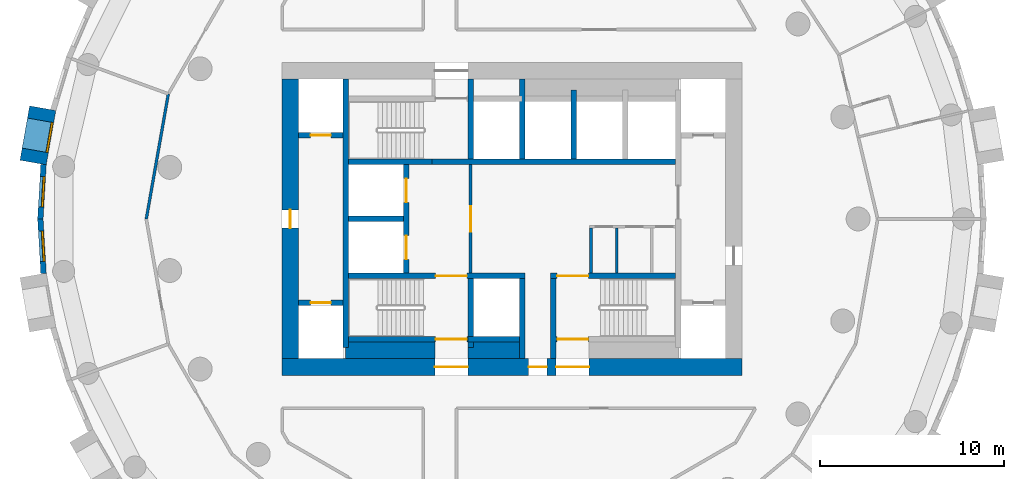
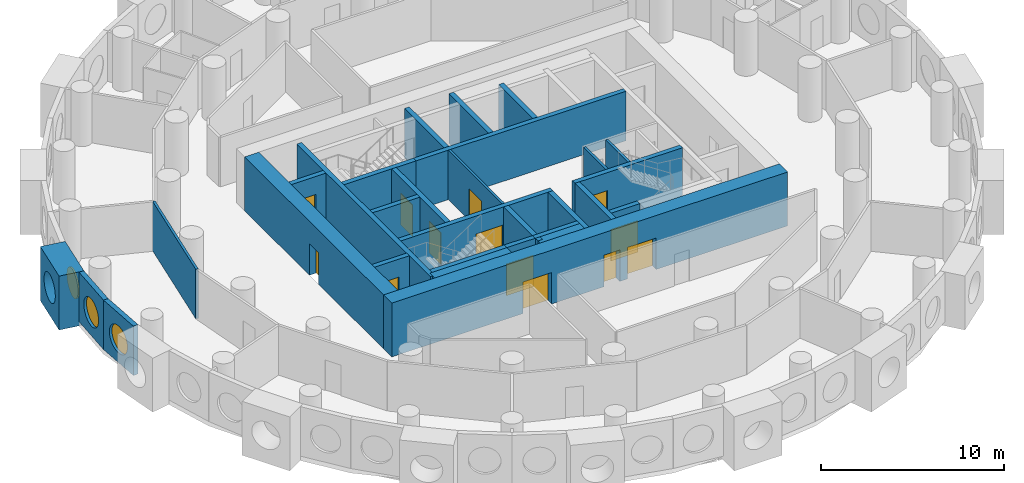
# One storey, part 3 of 9: 30 walls, 13 doors, 3 windows, 16 openings.
"""IFC4 building model written with IfcOpenShell, lengths in metres."""

from ifc_helpers import new_model, si_unit, direction, frame, frame_2d, origin, origin_2d, place, context, subcontext, project, spatial, rectangle, circle, extrude, material, layer, layer_set, type_object, element, fill, save


model = new_model("IFC4")

# Units and contexts
model_context = context("Model", 3, precision=1e-05, world=origin(), true_north=direction((0.0, 1.0)))
body_context = subcontext(model_context, "Body", "Model", "MODEL_VIEW")
ifc_project = project(units=[si_unit("LENGTHUNIT", "METRE"), si_unit("AREAUNIT", "SQUARE_METRE"), si_unit("VOLUMEUNIT", "CUBIC_METRE"), si_unit("PLANEANGLEUNIT", "RADIAN"), si_unit("MASSUNIT", "GRAM", prefix="KILO")], contexts=[model_context])

# Site, building, storey
site_placement = place(None, origin())
site = spatial("IfcSite", under=ifc_project, at=site_placement, CompositionType="ELEMENT")
building_placement = place(site_placement, origin())
building = spatial("IfcBuilding", under=site, at=building_placement, Name="Tracery Tower", CompositionType="ELEMENT")
storey_placement = place(building_placement, frame((0.0, 0.0, 169.199951171875)))
storey = spatial("IfcBuildingStorey", under=building, at=storey_placement, Name="L43", CompositionType="ELEMENT", Elevation=169.199951171875)

# Wall, opening, door
ifc_material_1 = material(Name="Plasterboard on steel studs", Category="steel")
ifc_layer_1 = layer(ifc_material_1, 0.14990234375)
ifc_layer_set_1 = layer_set([ifc_layer_1], Name="Core lobby partition 150")
wall_type_1 = type_object("IfcWallType", Name="Core lobby partition 150", PredefinedType="SOLIDWALL", material=ifc_layer_set_1)
wall_1_placement = place(storey_placement, frame((-2.25, -2.949951171875, 0.0), z_axis=(0.0, 0.0, 1.0), x_axis=(0.0, 1.0, 0.0)))
wall_1 = element("IfcWall", 1, at=wall_1_placement, inside=storey, type_object=wall_type_1, Name="L43 FF lobby E", PredefinedType="SOLIDWALL", context=body_context, shape_type="SweptSolid", body=[
    extrude(rectangle(XDim=5.89990234375, YDim=0.14990234375, at=frame_2d((2.949951171875, 0.0))), origin(), (0.0, 0.0, 1.0), 3.300048828125),
])
opening_1_placement = place(wall_1_placement, frame((2.25, 0.0, 0.0)))
opening_1 = element("IfcOpeningElement", 2, at=opening_1_placement, cuts=wall_1, Name="Opening KD8", PredefinedType="OPENING", context=body_context, shape_type="SweptSolid", body=[
    extrude(rectangle(XDim=1.39990234375, YDim=2.10009765625, at=frame_2d((0.699951171875, 1.050048828125))), frame((0.0, 0.074951171875, 0.0), z_axis=(0.0, -1.0, 0.0), x_axis=(1.0, 0.0, 0.0)), (0.0, 0.0, 1.0), 0.14990234375),
])
ifc_material_2 = material(Name="Steel fire door", Category="steel")
door_type_1 = type_object("IfcDoorType", Name="Core lobby door 1400 double", OperationType="NOTDEFINED", PredefinedType="DOOR", material=ifc_material_2)
door_1_placement = place(opening_1_placement, origin())
door_1 = element("IfcDoor", 3, at=door_1_placement, inside=storey, type_object=door_type_1, Name="Fire-fighting lobby door", OperationType="DOUBLE_DOOR_SINGLE_SWING", OverallHeight=2.10009765625, OverallWidth=1.39990234375, PredefinedType="DOOR", context=body_context, shape_type="SweptSolid", body=[
    extrude(rectangle(XDim=1.39990234375, YDim=2.10009765625, at=frame_2d((0.699951171875, 1.050048828125))), frame((0.0, 0.02490234375, 0.0), z_axis=(0.0, -1.0, 0.0), x_axis=(1.0, 0.0, 0.0)), (0.0, 0.0, 1.0), 0.050048828125),
])
fill(opening_1, door_1)

# Walls
ifc_material_3 = material(Name="Plasterboard on steel studs", Category="steel")
ifc_layer_2 = layer(ifc_material_3, 0.14990234375)
ifc_layer_set_2 = layer_set([ifc_layer_2], Name="Core room partition 150")
wall_type_2 = type_object("IfcWallType", Name="Core room partition 150", PredefinedType="SOLIDWALL", material=ifc_layer_set_2)
for number, where, z_axis, x_axis, name in (
    (4, (4.300048828125, -2.949951171875, 0.0), (0.0, 0.0, 1.0), (0.0, 1.0, 0.0), "L43 slot W"),
    (5, (5.699951171875, -2.949951171875, 0.0), (0.0, 0.0, 1.0), (0.0, 1.0, 0.0), "L43 slot sep 1"),
):
    element("IfcWall", number, at=place(storey_placement, frame(where, z_axis=z_axis, x_axis=x_axis)), inside=storey, type_object=wall_type_2, Name=name, PredefinedType="SOLIDWALL", context=body_context, shape_type="SweptSolid", body=[
        extrude(rectangle(XDim=2.449951171875, YDim=0.14990234375, at=frame_2d((1.22509765625, 0.0))), origin(), (0.0, 0.0, 1.0), 3.300048828125),
    ])
ifc_material_4 = material(Name="Concrete C50/60", Category="concrete")
ifc_layer_3 = layer(ifc_material_4, 0.89990234375)
ifc_layer_set_3 = layer_set([ifc_layer_3], Name="Core strip wall 900 C50")
wall_type_3 = type_object("IfcWallType", Name="Core strip wall 900 C50", PredefinedType="SOLIDWALL", material=ifc_layer_set_3)
wall_2_placement = place(storey_placement, frame((-9.050048828125, -7.14990234375, 0.0), z_axis=(0.0, 0.0, 1.0), x_axis=(1.0, 0.0, 0.0)))
element("IfcWall", 6, at=wall_2_placement, inside=storey, type_object=wall_type_3, Name="L43 F thick S W", PredefinedType="SOLIDWALL", context=body_context, shape_type="SweptSolid", body=[
    extrude(rectangle(XDim=4.85009765625, YDim=0.89990234375, at=frame_2d((2.425048828125, 0.0))), origin(), (0.0, 0.0, 1.0), 3.300048828125),
])
wall_3_placement = place(storey_placement, frame((-2.39990234375, -7.14990234375, 0.0), z_axis=(0.0, 0.0, 1.0), x_axis=(1.0, 0.0, 0.0)))
element("IfcWall", 7, at=wall_3_placement, inside=storey, type_object=wall_type_3, Name="L43 F thick S mid", PredefinedType="SOLIDWALL", context=body_context, shape_type="SweptSolid", body=[
    extrude(rectangle(XDim=2.7998046875, YDim=0.89990234375, at=frame_2d((1.39990234375, 0.0))), origin(), (0.0, 0.0, 1.0), 3.300048828125),
])

# Wall, openings, doors
ifc_material_5 = material(Name="Concrete C50/60", Category="concrete")
ifc_layer_4 = layer(ifc_material_5, 0.89990234375)
ifc_layer_set_4 = layer_set([ifc_layer_4], Name="Core wall 900 C50")
wall_type_4 = type_object("IfcWallType", Name="Core wall 900 C50", PredefinedType="SOLIDWALL", material=ifc_layer_set_4)
wall_4_placement = place(storey_placement, frame((-12.5, -8.050048828125, 0.0), z_axis=(0.0, 0.0, 1.0), x_axis=(1.0, 0.0, 0.0)))
wall_4 = element("IfcWall", 8, at=wall_4_placement, inside=storey, type_object=wall_type_4, Name="L43 outer S", PredefinedType="SOLIDWALL", context=body_context, shape_type="SweptSolid", body=[
    extrude(rectangle(XDim=25.0, YDim=0.89990234375, at=frame_2d((12.5, 0.0))), origin(), (0.0, 0.0, 1.0), 3.60009765625),
])
opening_2_placement = place(wall_4_placement, frame((13.39990234375, 0.0, 0.0)))
opening_2 = element("IfcOpeningElement", 9, at=opening_2_placement, cuts=wall_4, Name="Opening KD16", PredefinedType="OPENING", context=body_context, shape_type="SweptSolid", body=[
    extrude(rectangle(XDim=1.0, YDim=2.10009765625, at=frame_2d((0.5, 1.050048828125))), frame((0.0, 0.449951171875, 0.0), z_axis=(0.0, -1.0, 0.0), x_axis=(1.0, 0.0, 0.0)), (0.0, 0.0, 1.0), 0.89990234375),
])
opening_3_placement = place(wall_4_placement, frame((8.300048828125, 0.0, 0.0)))
opening_3 = element("IfcOpeningElement", 10, at=opening_3_placement, cuts=wall_4, Name="Opening KD13", PredefinedType="OPENING", context=body_context, shape_type="SweptSolid", body=[
    extrude(rectangle(XDim=1.800048828125, YDim=2.10009765625, at=frame_2d((0.89990234375, 1.050048828125))), frame((0.0, 0.449951171875, 0.0), z_axis=(0.0, -1.0, 0.0), x_axis=(1.0, 0.0, 0.0)), (0.0, 0.0, 1.0), 0.89990234375),
])
opening_4_placement = place(wall_4_placement, frame((14.89990234375, 0.0, 0.0)))
opening_4 = element("IfcOpeningElement", 11, at=opening_4_placement, cuts=wall_4, Name="Opening KD13", PredefinedType="OPENING", context=body_context, shape_type="SweptSolid", body=[
    extrude(rectangle(XDim=1.800048828125, YDim=2.10009765625, at=frame_2d((0.89990234375, 1.050048828125))), frame((0.0, 0.449951171875, 0.0), z_axis=(0.0, -1.0, 0.0), x_axis=(1.0, 0.0, 0.0)), (0.0, 0.0, 1.0), 0.89990234375),
])
ifc_material_6 = material(Name="Steel fire door", Category="steel")
door_type_2 = type_object("IfcDoorType", Name="Core exit door 1000", OperationType="NOTDEFINED", PredefinedType="DOOR", material=ifc_material_6)
door_2_placement = place(opening_2_placement, origin())
door_2 = element("IfcDoor", 12, at=door_2_placement, inside=storey, type_object=door_type_2, Name="Core exit door", OperationType="SINGLE_SWING_LEFT", OverallHeight=2.10009765625, OverallWidth=1.0, PredefinedType="DOOR", context=body_context, shape_type="SweptSolid", body=[
    extrude(rectangle(XDim=1.0, YDim=2.10009765625, at=frame_2d((0.5, 1.050048828125))), frame((0.0, 0.02490234375, 0.0), z_axis=(0.0, -1.0, 0.0), x_axis=(1.0, 0.0, 0.0)), (0.0, 0.0, 1.0), 0.050048828125),
])
fill(opening_2, door_2)
ifc_material_7 = material(Name="Steel fire door", Category="steel")
door_type_3 = type_object("IfcDoorType", Name="Core exit door 1800 double", OperationType="NOTDEFINED", PredefinedType="DOOR", material=ifc_material_7)
door_3_placement = place(opening_3_placement, origin())
door_3 = element("IfcDoor", 13, at=door_3_placement, inside=storey, type_object=door_type_3, Name="Core exit door", OperationType="DOUBLE_DOOR_SINGLE_SWING", OverallHeight=2.10009765625, OverallWidth=1.800048828125, PredefinedType="DOOR", context=body_context, shape_type="SweptSolid", body=[
    extrude(rectangle(XDim=1.800048828125, YDim=2.10009765625, at=frame_2d((0.89990234375, 1.050048828125))), frame((0.0, 0.02490234375, 0.0), z_axis=(0.0, -1.0, 0.0), x_axis=(1.0, 0.0, 0.0)), (0.0, 0.0, 1.0), 0.050048828125),
])
fill(opening_3, door_3)
door_4_placement = place(opening_4_placement, origin())
door_4 = element("IfcDoor", 14, at=door_4_placement, inside=storey, type_object=door_type_3, Name="Core exit door", OperationType="DOUBLE_DOOR_SINGLE_SWING", OverallHeight=2.10009765625, OverallWidth=1.800048828125, PredefinedType="DOOR", context=body_context, shape_type="SweptSolid", body=[
    extrude(rectangle(XDim=1.800048828125, YDim=2.10009765625, at=frame_2d((0.89990234375, 1.050048828125))), frame((0.0, 0.02490234375, 0.0), z_axis=(0.0, -1.0, 0.0), x_axis=(1.0, 0.0, 0.0)), (0.0, 0.0, 1.0), 0.050048828125),
])
fill(opening_4, door_4)

# Wall, opening, door
wall_5_placement = place(storey_placement, frame((-12.050048828125, -7.60009765625, 0.0), z_axis=(0.0, 0.0, 1.0), x_axis=(0.0, 1.0, 0.0)))
wall_5 = element("IfcWall", 15, at=wall_5_placement, inside=storey, type_object=wall_type_4, Name="L43 outer W", PredefinedType="SOLIDWALL", context=body_context, shape_type="SweptSolid", body=[
    extrude(rectangle(XDim=15.2001953125, YDim=0.89990234375, at=frame_2d((7.60009765625, 0.0))), origin(), (0.0, 0.0, 1.0), 3.60009765625),
])
opening_5_placement = place(wall_5_placement, frame((7.10009765625, 0.0, 0.0)))
opening_5 = element("IfcOpeningElement", 16, at=opening_5_placement, cuts=wall_5, Name="Opening KD18", PredefinedType="OPENING", context=body_context, shape_type="SweptSolid", body=[
    extrude(rectangle(XDim=1.0, YDim=2.10009765625, at=frame_2d((0.5, 1.050048828125))), frame((0.0, 0.449951171875, 0.0), z_axis=(0.0, -1.0, 0.0), x_axis=(1.0, 0.0, 0.0)), (0.0, 0.0, 1.0), 0.89990234375),
])
door_5_placement = place(opening_5_placement, origin())
door_5 = element("IfcDoor", 17, at=door_5_placement, inside=storey, type_object=door_type_2, Name="Core exit door", OperationType="DOUBLE_DOOR_SINGLE_SWING", OverallHeight=2.10009765625, OverallWidth=1.0, PredefinedType="DOOR", context=body_context, shape_type="SweptSolid", body=[
    extrude(rectangle(XDim=1.0, YDim=2.10009765625, at=frame_2d((0.5, 1.050048828125))), frame((0.0, 0.02490234375, 0.0), z_axis=(0.0, -1.0, 0.0), x_axis=(1.0, 0.0, 0.0)), (0.0, 0.0, 1.0), 0.050048828125),
])
fill(opening_5, door_5)

# Wall, opening, window
ifc_material_8 = material(Name="Precast concrete C50/60", Category="concrete")
ifc_layer_5 = layer(ifc_material_8, 1.449951171875)
ifc_layer_set_5 = layer_set([ifc_layer_5], Name="Deep-set bay unit 3000 x 3600, slab edge 300")
wall_type_5 = type_object("IfcWallType", Name="Deep-set bay unit 3000 x 3600, slab edge 300", PredefinedType="ELEMENTEDWALL", material=ifc_layer_set_5)
wall_6_placement = place(storey_placement, frame((-25.520751953125, 6.023193359375, -0.300048828125), z_axis=(0.0, 0.0, 1.0), x_axis=(-0.173669267716, -0.984804034035, 0.0)))
wall_6 = element("IfcWall", 18, at=wall_6_placement, inside=storey, type_object=wall_type_5, Name="Deep-set bay unit 26 at L43", PredefinedType="ELEMENTEDWALL", context=body_context, shape_type="SweptSolid", body=[
    extrude(rectangle(XDim=3.0, YDim=1.449951171875, at=frame_2d((1.5, 0.0))), origin(), (0.0, 0.0, 1.0), 3.60009765625),
])
opening_6_placement = place(wall_6_placement, frame((1.5, 0.0, 1.85009765625)))
opening_6 = element("IfcOpeningElement", 19, at=opening_6_placement, cuts=wall_6, Name="Opening WN1", PredefinedType="OPENING", context=body_context, shape_type="SweptSolid", body=[
    extrude(circle(Radius=0.9000244140625, at=origin_2d()), frame((0.0, 0.73486328125, 0.0), z_axis=(0.0, -1.0, 0.0), x_axis=(1.0, 0.0, 0.0)), (0.0, 0.0, 1.0), 1.469970703125),
])
ifc_material_9 = material(Name="Aluminium frame with tinted double glazing", Category="aluminium")
window_type = type_object("IfcWindowType", Name="Round window 1800", PartitioningType="SINGLE_PANEL", PredefinedType="WINDOW", material=ifc_material_9)
window_1_placement = place(opening_6_placement, origin())
window_1 = element("IfcWindow", 20, at=window_1_placement, inside=storey, type_object=window_type, Name="Round window 26 at L43", OverallHeight=1.800048828125, OverallWidth=1.800048828125, PartitioningType="SINGLE_PANEL", PredefinedType="WINDOW", context=body_context, shape_type="SweptSolid", body=[
    extrude(circle(Radius=0.9000244140625, at=origin_2d()), frame((0.0, 0.69482421875, 0.0), z_axis=(0.0, -1.0, 0.0), x_axis=(1.0, 0.0, 0.0)), (0.0, 0.0, 1.0), 0.10009765625),
])
fill(opening_6, window_1)

ifc_material_10 = material(Name="Precast concrete C50/60", Category="concrete")
ifc_layer_6 = layer(ifc_material_10, 0.300048828125)
ifc_layer_set_6 = layer_set([ifc_layer_6], Name="Facade panel 3000 x 3300")
wall_type_6 = type_object("IfcWallType", Name="Facade panel 3000 x 3300", PredefinedType="SOLIDWALL", material=ifc_layer_set_6)
wall_7_placement = place(storey_placement, frame((-25.474609375, 2.9677734375, 0.0), z_axis=(0.0, 0.0, 1.0), x_axis=(-0.058144307138, -0.998308188661, 0.0)))
wall_7 = element("IfcWall", 21, at=wall_7_placement, inside=storey, type_object=wall_type_6, Name="Facade panel 27 at L43", PredefinedType="SOLIDWALL", context=body_context, shape_type="SweptSolid", body=[
    extrude(rectangle(XDim=2.972900390625, YDim=0.300048828125, at=frame_2d((1.486328125, 0.0))), origin(), (0.0, 0.0, 1.0), 3.300048828125),
])
opening_7_placement = place(wall_7_placement, frame((1.486328125, 0.0, 1.5498046875)))
opening_7 = element("IfcOpeningElement", 22, at=opening_7_placement, cuts=wall_7, Name="Opening WN1", PredefinedType="OPENING", context=body_context, shape_type="SweptSolid", body=[
    extrude(circle(Radius=0.9000244140625, at=origin_2d()), frame((0.0, 0.159912109375, 0.0), z_axis=(0.0, -1.0, 0.0), x_axis=(1.0, 0.0, 0.0)), (0.0, 0.0, 1.0), 0.320068359375),
])
window_2_placement = place(opening_7_placement, origin())
window_2 = element("IfcWindow", 23, at=window_2_placement, inside=storey, type_object=window_type, Name="Round window 27 at L43", OverallHeight=1.800048828125, OverallWidth=1.800048828125, PartitioningType="SINGLE_PANEL", PredefinedType="WINDOW", context=body_context, shape_type="SweptSolid", body=[
    extrude(circle(Radius=0.9000244140625, at=origin_2d()), frame((0.0, 0.1201171875, 0.0), z_axis=(0.0, -1.0, 0.0), x_axis=(1.0, 0.0, 0.0)), (0.0, 0.0, 1.0), 0.10009765625),
])
fill(opening_7, window_2)

wall_8_placement = place(storey_placement, frame((-25.6474609375, 0.0, 0.0), z_axis=(0.0, 0.0, 1.0), x_axis=(0.058144307138, -0.998308188661, 0.0)))
wall_8 = element("IfcWall", 24, at=wall_8_placement, inside=storey, type_object=wall_type_6, Name="Facade panel 28 at L43", PredefinedType="SOLIDWALL", context=body_context, shape_type="SweptSolid", body=[
    extrude(rectangle(XDim=2.972900390625, YDim=0.300048828125, at=frame_2d((1.486328125, 0.0))), origin(), (0.0, 0.0, 1.0), 3.300048828125),
])
opening_8_placement = place(wall_8_placement, frame((1.486328125, 0.0, 1.5498046875)))
opening_8 = element("IfcOpeningElement", 25, at=opening_8_placement, cuts=wall_8, Name="Opening WN1", PredefinedType="OPENING", context=body_context, shape_type="SweptSolid", body=[
    extrude(circle(Radius=0.9000244140625, at=origin_2d()), frame((0.0, 0.159912109375, 0.0), z_axis=(0.0, -1.0, 0.0), x_axis=(1.0, 0.0, 0.0)), (0.0, 0.0, 1.0), 0.320068359375),
])
window_3_placement = place(opening_8_placement, origin())
window_3 = element("IfcWindow", 26, at=window_3_placement, inside=storey, type_object=window_type, Name="Round window 28 at L43", OverallHeight=1.800048828125, OverallWidth=1.800048828125, PartitioningType="SINGLE_PANEL", PredefinedType="WINDOW", context=body_context, shape_type="SweptSolid", body=[
    extrude(circle(Radius=0.9000244140625, at=origin_2d()), frame((0.0, 0.1201171875, 0.0), z_axis=(0.0, -1.0, 0.0), x_axis=(1.0, 0.0, 0.0)), (0.0, 0.0, 1.0), 0.10009765625),
])
fill(opening_8, window_3)

# Walls
ifc_material_11 = material(Name="Plasterboard on steel studs", Category="steel")
ifc_layer_7 = layer(ifc_material_11, 0.14990234375)
ifc_layer_set_7 = layer_set([ifc_layer_7], Name="Partition 150 corridor wall")
wall_type_7 = type_object("IfcWallType", Name="Partition 150 corridor wall", PredefinedType="PARTITIONING", material=ifc_layer_set_7)
wall_9_placement = place(storey_placement, frame((-19.887939453125, 0.0, 0.0), z_axis=(0.0, 0.0, 1.0), x_axis=(0.173728873845, 0.98479352069, 0.0)))
element("IfcWall", 27, at=wall_9_placement, inside=storey, type_object=wall_type_7, Name="Corridor wall RB5-028", PredefinedType="PARTITIONING", context=body_context, shape_type="SweptSolid", body=[
    extrude(rectangle(XDim=6.906982421875, YDim=0.14990234375, at=frame_2d((3.45361328125, 0.0))), origin(), (0.0, 0.0, 1.0), 3.300048828125),
])
ifc_material_12 = material(Name="Concrete C50/60", Category="concrete")
ifc_layer_8 = layer(ifc_material_12, 0.300048828125)
ifc_layer_set_8 = layer_set([ifc_layer_8], Name="Shaft wall 300 C50")
wall_type_8 = type_object("IfcWallType", Name="Shaft wall 300 C50", PredefinedType="SOLIDWALL", material=ifc_layer_set_8)
wall_10_placement = place(storey_placement, frame((-8.89990234375, 0.0, 0.0), z_axis=(0.0, 0.0, 1.0), x_axis=(1.0, 0.0, 0.0)))
element("IfcWall", 28, at=wall_10_placement, inside=storey, type_object=wall_type_8, Name="L43 FF split", PredefinedType="SOLIDWALL", context=body_context, shape_type="SweptSolid", body=[
    extrude(rectangle(XDim=3.0, YDim=0.300048828125, at=frame_2d((1.5, 0.0))), origin(), (0.0, 0.0, 1.0), 3.300048828125),
])

# Wall, openings, doors
wall_11_placement = place(storey_placement, frame((-5.75, -2.949951171875, 0.0), z_axis=(0.0, 0.0, 1.0), x_axis=(0.0, 1.0, 0.0)))
wall_11 = element("IfcWall", 29, at=wall_11_placement, inside=storey, type_object=wall_type_8, Name="L43 FF doors", PredefinedType="SOLIDWALL", context=body_context, shape_type="SweptSolid", body=[
    extrude(rectangle(XDim=5.89990234375, YDim=0.300048828125, at=frame_2d((2.949951171875, 0.0))), origin(), (0.0, 0.0, 1.0), 3.300048828125),
])
opening_9_placement = place(wall_11_placement, frame((0.75, 0.0, 0.0)))
opening_9 = element("IfcOpeningElement", 30, at=opening_9_placement, cuts=wall_11, Name="Opening KD54", PredefinedType="OPENING", context=body_context, shape_type="SweptSolid", body=[
    extrude(rectangle(XDim=1.300048828125, YDim=2.10009765625, at=frame_2d((0.64990234375, 1.050048828125))), frame((0.0, 0.14990234375, 0.0), z_axis=(0.0, -1.0, 0.0), x_axis=(1.0, 0.0, 0.0)), (0.0, 0.0, 1.0), 0.300048828125),
])
opening_10_placement = place(wall_11_placement, frame((3.85009765625, 0.0, 0.0)))
opening_10 = element("IfcOpeningElement", 31, at=opening_10_placement, cuts=wall_11, Name="Opening KD55", PredefinedType="OPENING", context=body_context, shape_type="SweptSolid", body=[
    extrude(rectangle(XDim=1.300048828125, YDim=2.10009765625, at=frame_2d((0.64990234375, 1.050048828125))), frame((0.0, 0.14990234375, 0.0), z_axis=(0.0, -1.0, 0.0), x_axis=(1.0, 0.0, 0.0)), (0.0, 0.0, 1.0), 0.300048828125),
])
ifc_material_13 = material(Name="Steel fire door", Category="steel")
door_type_4 = type_object("IfcDoorType", Name="Landing door FF 1300", OperationType="NOTDEFINED", PredefinedType="DOOR", material=ifc_material_13)
door_6_placement = place(opening_9_placement, origin())
door_6 = element("IfcDoor", 32, at=door_6_placement, inside=storey, type_object=door_type_4, Name="Landing door FF1", OperationType="SLIDING_TO_LEFT", OverallHeight=2.10009765625, OverallWidth=1.300048828125, PredefinedType="DOOR", context=body_context, shape_type="SweptSolid", body=[
    extrude(rectangle(XDim=1.300048828125, YDim=2.10009765625, at=frame_2d((0.64990234375, 1.050048828125))), frame((0.0, 0.02490234375, 0.0), z_axis=(0.0, -1.0, 0.0), x_axis=(1.0, 0.0, 0.0)), (0.0, 0.0, 1.0), 0.050048828125),
])
fill(opening_9, door_6)
door_7_placement = place(opening_10_placement, origin())
door_7 = element("IfcDoor", 33, at=door_7_placement, inside=storey, type_object=door_type_4, Name="Landing door FF2", OperationType="SLIDING_TO_RIGHT", OverallHeight=2.10009765625, OverallWidth=1.300048828125, PredefinedType="DOOR", context=body_context, shape_type="SweptSolid", body=[
    extrude(rectangle(XDim=1.300048828125, YDim=2.10009765625, at=frame_2d((0.64990234375, 1.050048828125))), frame((0.0, 0.02490234375, 0.0), z_axis=(0.0, -1.0, 0.0), x_axis=(1.0, 0.0, 0.0)), (0.0, 0.0, 1.0), 0.050048828125),
])
fill(opening_10, door_7)

# Walls
for number, where, z_axis, x_axis, name in (
    (34, (0.550048828125, -7.60009765625, 0.0), (0.0, 0.0, 1.0), (0.0, 1.0, 0.0), "L43 OB2 E"),
    (35, (0.550048828125, 3.25, 0.0), (0.0, 0.0, 1.0), (0.0, 1.0, 0.0), "L43 HR sep 1"),
):
    element("IfcWall", number, at=place(storey_placement, frame(where, z_axis=z_axis, x_axis=x_axis)), inside=storey, type_object=wall_type_8, Name=name, PredefinedType="SOLIDWALL", context=body_context, shape_type="SweptSolid", body=[
        extrude(rectangle(XDim=4.35009765625, YDim=0.300048828125, at=frame_2d((2.175048828125, 0.0))), origin(), (0.0, 0.0, 1.0), 3.300048828125),
    ])
wall_12_placement = place(storey_placement, frame((3.35009765625, 3.25, 0.0), z_axis=(0.0, 0.0, 1.0), x_axis=(0.0, 1.0, 0.0)))
element("IfcWall", 36, at=wall_12_placement, inside=storey, type_object=wall_type_8, Name="L43 HR sep 2", PredefinedType="SOLIDWALL", context=body_context, shape_type="SweptSolid", body=[
    extrude(rectangle(XDim=3.75, YDim=0.300048828125, at=frame_2d((1.875, 0.0))), origin(), (0.0, 0.0, 1.0), 3.300048828125),
])

# Wall, opening, door
wall_13_placement = place(storey_placement, frame((-11.60009765625, -4.550048828125, 0.0), z_axis=(0.0, 0.0, 1.0), x_axis=(1.0, 0.0, 0.0)))
wall_13 = element("IfcWall", 37, at=wall_13_placement, inside=storey, type_object=wall_type_8, Name="L43 MR W -4.55", PredefinedType="SOLIDWALL", context=body_context, shape_type="SweptSolid", body=[
    extrude(rectangle(XDim=2.400146484375, YDim=0.300048828125, at=frame_2d((1.2001953125, 0.0))), origin(), (0.0, 0.0, 1.0), 3.300048828125),
])
opening_11_placement = place(wall_13_placement, frame((0.64990234375, 0.0, 0.0)))
opening_11 = element("IfcOpeningElement", 38, at=opening_11_placement, cuts=wall_13, Name="Opening KD50", PredefinedType="OPENING", context=body_context, shape_type="SweptSolid", body=[
    extrude(rectangle(XDim=1.10009765625, YDim=2.10009765625, at=frame_2d((0.550048828125, 1.050048828125))), frame((0.0, 0.14990234375, 0.0), z_axis=(0.0, -1.0, 0.0), x_axis=(1.0, 0.0, 0.0)), (0.0, 0.0, 1.0), 0.300048828125),
])
ifc_material_14 = material(Name="Steel fire door", Category="steel")
door_type_5 = type_object("IfcDoorType", Name="Landing door 1100", OperationType="NOTDEFINED", PredefinedType="DOOR", material=ifc_material_14)
door_8_placement = place(opening_11_placement, origin())
door_8 = element("IfcDoor", 39, at=door_8_placement, inside=storey, type_object=door_type_5, Name="Landing door MR1", OperationType="SLIDING_TO_RIGHT", OverallHeight=2.10009765625, OverallWidth=1.10009765625, PredefinedType="DOOR", context=body_context, shape_type="SweptSolid", body=[
    extrude(rectangle(XDim=1.10009765625, YDim=2.10009765625, at=frame_2d((0.550048828125, 1.050048828125))), frame((0.0, 0.02490234375, 0.0), z_axis=(0.0, -1.0, 0.0), x_axis=(1.0, 0.0, 0.0)), (0.0, 0.0, 1.0), 0.050048828125),
])
fill(opening_11, door_8)

wall_14_placement = place(storey_placement, frame((-11.60009765625, 4.550048828125, 0.0), z_axis=(0.0, 0.0, 1.0), x_axis=(1.0, 0.0, 0.0)))
wall_14 = element("IfcWall", 40, at=wall_14_placement, inside=storey, type_object=wall_type_8, Name="L43 MR W +4.55", PredefinedType="SOLIDWALL", context=body_context, shape_type="SweptSolid", body=[
    extrude(rectangle(XDim=2.400146484375, YDim=0.300048828125, at=frame_2d((1.2001953125, 0.0))), origin(), (0.0, 0.0, 1.0), 3.300048828125),
])
opening_12_placement = place(wall_14_placement, frame((0.64990234375, 0.0, 0.0)))
opening_12 = element("IfcOpeningElement", 41, at=opening_12_placement, cuts=wall_14, Name="Opening KD49", PredefinedType="OPENING", context=body_context, shape_type="SweptSolid", body=[
    extrude(rectangle(XDim=1.10009765625, YDim=2.10009765625, at=frame_2d((0.550048828125, 1.050048828125))), frame((0.0, 0.14990234375, 0.0), z_axis=(0.0, -1.0, 0.0), x_axis=(1.0, 0.0, 0.0)), (0.0, 0.0, 1.0), 0.300048828125),
])
door_9_placement = place(opening_12_placement, origin())
door_9 = element("IfcDoor", 42, at=door_9_placement, inside=storey, type_object=door_type_5, Name="Landing door MR2", OperationType="SLIDING_TO_LEFT", OverallHeight=2.10009765625, OverallWidth=1.10009765625, PredefinedType="DOOR", context=body_context, shape_type="SweptSolid", body=[
    extrude(rectangle(XDim=1.10009765625, YDim=2.10009765625, at=frame_2d((0.550048828125, 1.050048828125))), frame((0.0, 0.02490234375, 0.0), z_axis=(0.0, -1.0, 0.0), x_axis=(1.0, 0.0, 0.0)), (0.0, 0.0, 1.0), 0.050048828125),
])
fill(opening_12, door_9)

ifc_material_15 = material(Name="Concrete C50/60", Category="concrete")
ifc_layer_9 = layer(ifc_material_15, 0.300048828125)
ifc_layer_set_9 = layer_set([ifc_layer_9], Name="Stair wall 300 C50")
wall_type_9 = type_object("IfcWallType", Name="Stair wall 300 C50", PredefinedType="SOLIDWALL", material=ifc_layer_set_9)
wall_15_placement = place(storey_placement, frame((-8.89990234375, -3.10009765625, 0.0), z_axis=(0.0, 0.0, 1.0), x_axis=(1.0, 0.0, 0.0)))
wall_15 = element("IfcWall", 43, at=wall_15_placement, inside=storey, type_object=wall_type_9, Name="L43 row S", PredefinedType="SOLIDWALL", context=body_context, shape_type="SweptSolid", body=[
    extrude(rectangle(XDim=9.599853515625, YDim=0.300048828125, at=frame_2d((4.7998046875, 0.0))), origin(), (0.0, 0.0, 1.0), 3.300048828125),
])
opening_13_placement = place(wall_15_placement, frame((4.75, 0.0, 0.0)))
opening_13 = element("IfcOpeningElement", 44, at=opening_13_placement, cuts=wall_15, Name="Opening KD3", PredefinedType="OPENING", context=body_context, shape_type="SweptSolid", body=[
    extrude(rectangle(XDim=1.699951171875, YDim=2.10009765625, at=frame_2d((0.85009765625, 1.050048828125))), frame((0.0, 0.14990234375, 0.0), z_axis=(0.0, -1.0, 0.0), x_axis=(1.0, 0.0, 0.0)), (0.0, 0.0, 1.0), 0.300048828125),
])
ifc_material_16 = material(Name="Steel fire door", Category="steel")
door_type_6 = type_object("IfcDoorType", Name="Core stair door 1700 double", OperationType="NOTDEFINED", PredefinedType="DOOR", material=ifc_material_16)
door_10_placement = place(opening_13_placement, origin())
door_10 = element("IfcDoor", 45, at=door_10_placement, inside=storey, type_object=door_type_6, Name="Stair door ST1", OperationType="DOUBLE_DOOR_SINGLE_SWING", OverallHeight=2.10009765625, OverallWidth=1.699951171875, PredefinedType="DOOR", context=body_context, shape_type="SweptSolid", body=[
    extrude(rectangle(XDim=1.699951171875, YDim=2.10009765625, at=frame_2d((0.85009765625, 1.050048828125))), frame((0.0, 0.02490234375, 0.0), z_axis=(0.0, -1.0, 0.0), x_axis=(1.0, 0.0, 0.0)), (0.0, 0.0, 1.0), 0.050048828125),
])
fill(opening_13, door_10)

wall_16_placement = place(storey_placement, frame((2.10009765625, -3.10009765625, 0.0), z_axis=(0.0, 0.0, 1.0), x_axis=(1.0, 0.0, 0.0)))
wall_16 = element("IfcWall", 46, at=wall_16_placement, inside=storey, type_object=wall_type_9, Name="L43 row S E", PredefinedType="SOLIDWALL", context=body_context, shape_type="SweptSolid", body=[
    extrude(rectangle(XDim=6.7998046875, YDim=0.300048828125, at=frame_2d((3.39990234375, 0.0))), origin(), (0.0, 0.0, 1.0), 3.300048828125),
])
opening_14_placement = place(wall_16_placement, frame((0.35009765625, 0.0, 0.0)))
opening_14 = element("IfcOpeningElement", 47, at=opening_14_placement, cuts=wall_16, Name="Opening KD3", PredefinedType="OPENING", context=body_context, shape_type="SweptSolid", body=[
    extrude(rectangle(XDim=1.699951171875, YDim=2.10009765625, at=frame_2d((0.85009765625, 1.050048828125))), frame((0.0, 0.14990234375, 0.0), z_axis=(0.0, -1.0, 0.0), x_axis=(1.0, 0.0, 0.0)), (0.0, 0.0, 1.0), 0.300048828125),
])
door_11_placement = place(opening_14_placement, origin())
door_11 = element("IfcDoor", 48, at=door_11_placement, inside=storey, type_object=door_type_6, Name="Stair door ST2", OperationType="DOUBLE_DOOR_SINGLE_SWING", OverallHeight=2.10009765625, OverallWidth=1.699951171875, PredefinedType="DOOR", context=body_context, shape_type="SweptSolid", body=[
    extrude(rectangle(XDim=1.699951171875, YDim=2.10009765625, at=frame_2d((0.85009765625, 1.050048828125))), frame((0.0, 0.02490234375, 0.0), z_axis=(0.0, -1.0, 0.0), x_axis=(1.0, 0.0, 0.0)), (0.0, 0.0, 1.0), 0.050048828125),
])
fill(opening_14, door_11)

# Walls
wall_17_placement = place(storey_placement, frame((-8.89990234375, 3.10009765625, 0.0), z_axis=(0.0, 0.0, 1.0), x_axis=(1.0, 0.0, 0.0)))
element("IfcWall", 49, at=wall_17_placement, inside=storey, type_object=wall_type_9, Name="L43 row N W", PredefinedType="SOLIDWALL", context=body_context, shape_type="SweptSolid", body=[
    extrude(rectangle(XDim=4.5498046875, YDim=0.300048828125, at=frame_2d((2.27490234375, 0.0))), origin(), (0.0, 0.0, 1.0), 3.300048828125),
])
wall_18_placement = place(storey_placement, frame((-4.35009765625, 3.10009765625, 0.0), z_axis=(0.0, 0.0, 1.0), x_axis=(1.0, 0.0, 0.0)))
element("IfcWall", 50, at=wall_18_placement, inside=storey, type_object=wall_type_9, Name="L43 row N", PredefinedType="SOLIDWALL", context=body_context, shape_type="SweptSolid", body=[
    extrude(rectangle(XDim=13.25, YDim=0.300048828125, at=frame_2d((6.625, 0.0))), origin(), (0.0, 0.0, 1.0), 3.300048828125),
])
wall_19_placement = place(storey_placement, frame((-2.25, -7.0, 0.0), z_axis=(0.0, 0.0, 1.0), x_axis=(0.0, 1.0, 0.0)))
element("IfcWall", 51, at=wall_19_placement, inside=storey, type_object=wall_type_9, Name="L43 ST1 E", PredefinedType="SOLIDWALL", context=body_context, shape_type="SweptSolid", body=[
    extrude(rectangle(XDim=3.75, YDim=0.300048828125, at=frame_2d((1.875, 0.0))), origin(), (0.0, 0.0, 1.0), 3.300048828125),
])
for number, where, z_axis, x_axis, name in (
    (52, (-2.25, 3.25, 0.0), (0.0, 0.0, 1.0), (0.0, 1.0, 0.0), "L43 ST3 E"),
    (53, (2.25, -7.60009765625, 0.0), (0.0, 0.0, 1.0), (0.0, 1.0, 0.0), "L43 ST2 W"),
):
    element("IfcWall", number, at=place(storey_placement, frame(where, z_axis=z_axis, x_axis=x_axis)), inside=storey, type_object=wall_type_9, Name=name, PredefinedType="SOLIDWALL", context=body_context, shape_type="SweptSolid", body=[
        extrude(rectangle(XDim=4.35009765625, YDim=0.300048828125, at=frame_2d((2.175048828125, 0.0))), origin(), (0.0, 0.0, 1.0), 3.300048828125),
    ])
wall_20_placement = place(storey_placement, frame((-9.050048828125, -7.0, 0.0), z_axis=(0.0, 0.0, 1.0), x_axis=(0.0, 1.0, 0.0)))
element("IfcWall", 54, at=wall_20_placement, inside=storey, type_object=wall_type_9, Name="L43 F wall -9", PredefinedType="SOLIDWALL", context=body_context, shape_type="SweptSolid", body=[
    extrude(rectangle(XDim=14.60009765625, YDim=0.300048828125, at=frame_2d((7.300048828125, 0.0))), origin(), (0.0, 0.0, 1.0), 3.300048828125),
])
wall_21_placement = place(storey_placement, frame((-8.89990234375, -6.550048828125, 0.0), z_axis=(0.0, 0.0, 1.0), x_axis=(1.0, 0.0, 0.0)))
element("IfcWall", 55, at=wall_21_placement, inside=storey, type_object=wall_type_9, Name="L43 F stair strip S W", PredefinedType="SOLIDWALL", context=body_context, shape_type="SweptSolid", body=[
    extrude(rectangle(XDim=4.699951171875, YDim=0.300048828125, at=frame_2d((2.35009765625, 0.0))), origin(), (0.0, 0.0, 1.0), 3.300048828125),
])
wall_22_placement = place(storey_placement, frame((-2.39990234375, -6.550048828125, 0.0), z_axis=(0.0, 0.0, 1.0), x_axis=(1.0, 0.0, 0.0)))
element("IfcWall", 56, at=wall_22_placement, inside=storey, type_object=wall_type_9, Name="L43 F stair strip S mid", PredefinedType="SOLIDWALL", context=body_context, shape_type="SweptSolid", body=[
    extrude(rectangle(XDim=2.7998046875, YDim=0.300048828125, at=frame_2d((1.39990234375, 0.0))), origin(), (0.0, 0.0, 1.0), 3.300048828125),
])

# Wall, opening, door
wall_23_placement = place(storey_placement, frame((-4.199951171875, -6.550048828125, 0.0), z_axis=(0.0, 0.0, 1.0), x_axis=(1.0, 0.0, 0.0)))
wall_23 = element("IfcWall", 57, at=wall_23_placement, inside=storey, type_object=wall_type_9, Name="L43 F stair S W", PredefinedType="SOLIDWALL", context=body_context, shape_type="SweptSolid", body=[
    extrude(rectangle(XDim=1.800048828125, YDim=0.300048828125, at=frame_2d((0.89990234375, 0.0))), origin(), (0.0, 0.0, 1.0), 3.300048828125),
])
opening_15_placement = place(wall_23_placement, frame((0.050048828125, 0.0, 0.0)))
opening_15 = element("IfcOpeningElement", 58, at=opening_15_placement, cuts=wall_23, Name="Opening KD3", PredefinedType="OPENING", context=body_context, shape_type="SweptSolid", body=[
    extrude(rectangle(XDim=1.699951171875, YDim=2.10009765625, at=frame_2d((0.85009765625, 1.050048828125))), frame((0.0, 0.14990234375, 0.0), z_axis=(0.0, -1.0, 0.0), x_axis=(1.0, 0.0, 0.0)), (0.0, 0.0, 1.0), 0.300048828125),
])
door_12_placement = place(opening_15_placement, origin())
door_12 = element("IfcDoor", 59, at=door_12_placement, inside=storey, type_object=door_type_6, Name="Stair door vest", OperationType="DOUBLE_DOOR_SINGLE_SWING", OverallHeight=2.10009765625, OverallWidth=1.699951171875, PredefinedType="DOOR", context=body_context, shape_type="SweptSolid", body=[
    extrude(rectangle(XDim=1.699951171875, YDim=2.10009765625, at=frame_2d((0.85009765625, 1.050048828125))), frame((0.0, 0.02490234375, 0.0), z_axis=(0.0, -1.0, 0.0), x_axis=(1.0, 0.0, 0.0)), (0.0, 0.0, 1.0), 0.050048828125),
])
fill(opening_15, door_12)

wall_24_placement = place(storey_placement, frame((2.39990234375, -6.550048828125, 0.0), z_axis=(0.0, 0.0, 1.0), x_axis=(1.0, 0.0, 0.0)))
wall_24 = element("IfcWall", 60, at=wall_24_placement, inside=storey, type_object=wall_type_9, Name="L43 F stair S E", PredefinedType="SOLIDWALL", context=body_context, shape_type="SweptSolid", body=[
    extrude(rectangle(XDim=1.800048828125, YDim=0.300048828125, at=frame_2d((0.89990234375, 0.0))), origin(), (0.0, 0.0, 1.0), 3.300048828125),
])
opening_16_placement = place(wall_24_placement, frame((0.050048828125, 0.0, 0.0)))
opening_16 = element("IfcOpeningElement", 61, at=opening_16_placement, cuts=wall_24, Name="Opening KD3", PredefinedType="OPENING", context=body_context, shape_type="SweptSolid", body=[
    extrude(rectangle(XDim=1.699951171875, YDim=2.10009765625, at=frame_2d((0.85009765625, 1.050048828125))), frame((0.0, 0.14990234375, 0.0), z_axis=(0.0, -1.0, 0.0), x_axis=(1.0, 0.0, 0.0)), (0.0, 0.0, 1.0), 0.300048828125),
])
door_13_placement = place(opening_16_placement, origin())
door_13 = element("IfcDoor", 62, at=door_13_placement, inside=storey, type_object=door_type_6, Name="Stair door vest", OperationType="DOUBLE_DOOR_SINGLE_SWING", OverallHeight=2.10009765625, OverallWidth=1.699951171875, PredefinedType="DOOR", context=body_context, shape_type="SweptSolid", body=[
    extrude(rectangle(XDim=1.699951171875, YDim=2.10009765625, at=frame_2d((0.85009765625, 1.050048828125))), frame((0.0, 0.02490234375, 0.0), z_axis=(0.0, -1.0, 0.0), x_axis=(1.0, 0.0, 0.0)), (0.0, 0.0, 1.0), 0.050048828125),
])
fill(opening_16, door_13)

save(model, "model.ifc")
